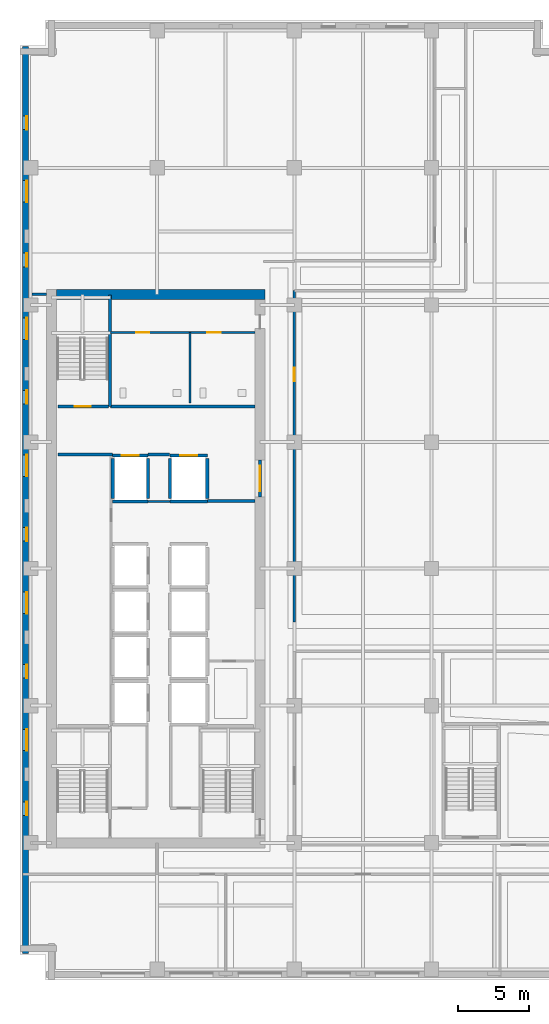
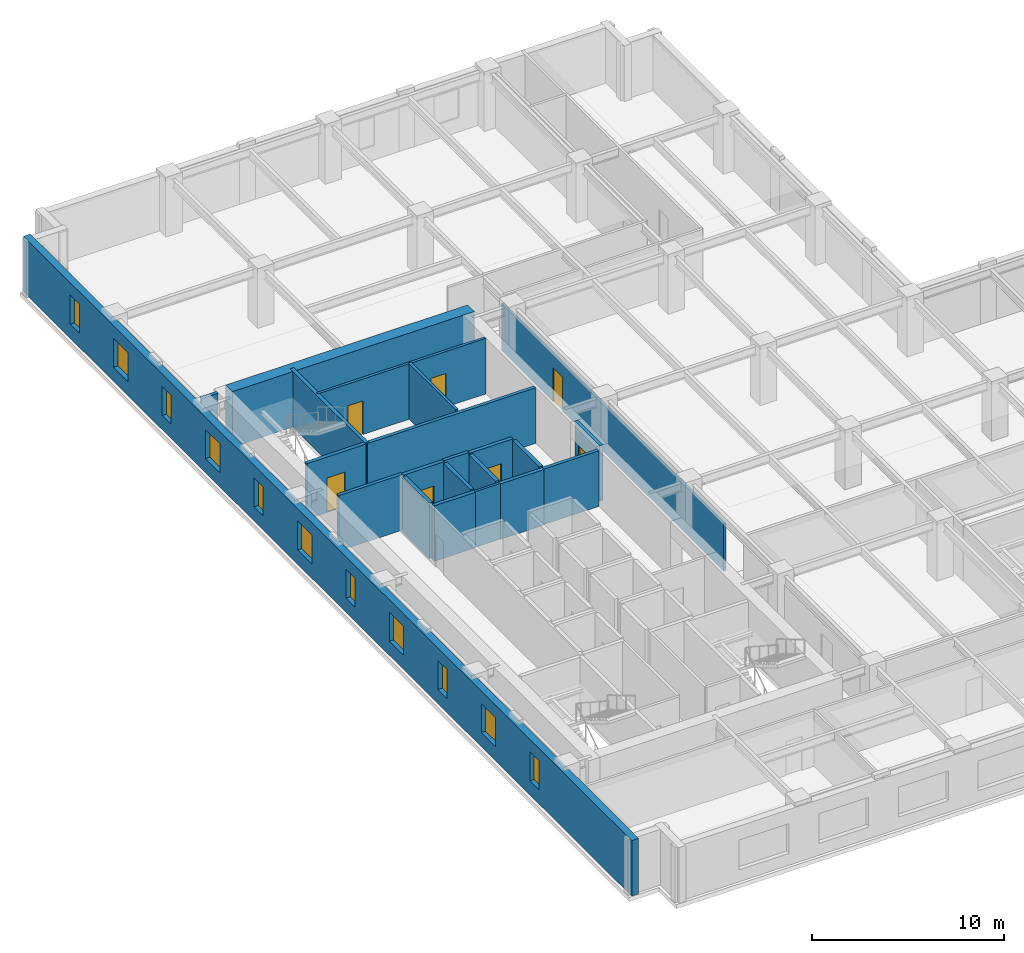
# One storey, part 6 of 12: 22 walls, 11 windows, 7 doors, 18 openings.
"""IFC4 building model written with IfcOpenShell, lengths in metres."""

import ifcopenshell
import ifcopenshell.guid

model = None  # the IFC model being written
_history = None  # IfcOwnerHistory: only IFC2X3 demands one
_inside = {}  # id of a spatial element -> (the spatial element, [elements in it])
_under = {}  # id of a project, library or spatial element -> (it, [spatial elements below it])
_declared = {}  # id of a project -> (the project, [libraries it declares])
_typed = {}  # id of a type object -> (the type object, [elements of that type])
_made_of = {}  # id of a material, layer set ... -> (it, [elements and type objects made of it])


def new_model(schema):
    """Start an empty IFC model of exactly this schema.

    Asked for "IFC4X3", IfcOpenShell would pick the latest addendum, in which some entities
    have other attributes; the version numbers below select the first issue.
    IFC2X3 requires an IfcOwnerHistory on every rooted entity: one is made here for all.
    """
    global model, _history
    if schema == "IFC4X3":
        model = ifcopenshell.file(schema_version=(4, 3, 0, 0))
    else:
        model = ifcopenshell.file(schema=schema)
    _inside.clear()
    _under.clear()
    _declared.clear()
    _typed.clear()
    _made_of.clear()
    _history = None
    if model.schema == "IFC2X3":
        org = make("IfcOrganization", Name="unknown")
        user = make(
            "IfcPersonAndOrganization",
            ThePerson=make("IfcPerson", FamilyName="unknown"),
            TheOrganization=org,
        )
        app = make(
            "IfcApplication",
            ApplicationDeveloper=org,
            Version="unknown",
            ApplicationFullName="unknown",
            ApplicationIdentifier="unknown",
        )
        _history = make(
            "IfcOwnerHistory",
            OwningUser=user,
            OwningApplication=app,
            ChangeAction="ADDED",
            CreationDate=0,
        )
    return model


def make(cls, **values):
    """One entity of the class cls with the attributes given. An attribute that is None is left unset."""
    return model.create_entity(
        cls, **{name: value for name, value in values.items() if value is not None}
    )


def rooted(cls, **values):
    """An entity with a GlobalId (a new one), such as an element, a storey or a relation."""
    return make(cls, GlobalId=ifcopenshell.guid.new(), OwnerHistory=_history, **values)


def si_unit(unit_type, name, prefix=None):
    """IfcSIUnit, for example si_unit("LENGTHUNIT", "METRE", prefix="MILLI")."""
    return make("IfcSIUnit", UnitType=unit_type, Prefix=prefix, Name=name)


def assignment(units):
    """IfcUnitAssignment: the units of a project."""
    return None if units is None else make("IfcUnitAssignment", Units=units)


def point(xyz):
    """IfcCartesianPoint."""
    return None if xyz is None else make("IfcCartesianPoint", Coordinates=xyz)


def direction(xyz):
    """IfcDirection."""
    return None if xyz is None else make("IfcDirection", DirectionRatios=xyz)


def frame(location, z_axis=None, x_axis=None):
    """IfcAxis2Placement3D, a coordinate frame: its origin and axes. An axis left out is left unset."""
    return make(
        "IfcAxis2Placement3D",
        Location=point(location),
        Axis=direction(z_axis),
        RefDirection=direction(x_axis),
    )


def frame_2d(location, x_axis=None):
    """IfcAxis2Placement2D, a coordinate frame in the plane: its origin and x axis."""
    return make(
        "IfcAxis2Placement2D", Location=point(location), RefDirection=direction(x_axis)
    )


def origin():
    """The frame at (0, 0, 0) with its axes left unset."""
    return frame((0.0, 0.0, 0.0))


def place(relative_to, where):
    """IfcLocalPlacement: puts the frame where relative to a parent placement (None: the world)."""
    return make(
        "IfcLocalPlacement", PlacementRelTo=relative_to, RelativePlacement=where
    )


def context(
    kind, dimensions, precision=None, world=None, true_north=None, identifier=None
):
    """IfcGeometricRepresentationContext, for example the 3D "Model" context."""
    return make(
        "IfcGeometricRepresentationContext",
        ContextIdentifier=identifier,
        ContextType=kind,
        CoordinateSpaceDimension=dimensions,
        Precision=precision,
        WorldCoordinateSystem=world,
        TrueNorth=true_north,
    )


def subcontext(parent, identifier, kind, view, scale=None):
    """IfcGeometricRepresentationSubContext, for example "Body" below "Model"."""
    return make(
        "IfcGeometricRepresentationSubContext",
        ContextIdentifier=identifier,
        ContextType=kind,
        ParentContext=parent,
        TargetScale=scale,
        TargetView=view,
    )


def project(units=None, contexts=None):
    """IfcProject with its units and contexts."""
    return rooted(
        "IfcProject",
        Name="project",
        RepresentationContexts=contexts,
        UnitsInContext=assignment(units),
    )


def spatial(cls, under=None, at=None, **own):
    """A site, building, storey or space (cls), placed at a placement, below another one or the project."""
    s = rooted(cls, ObjectPlacement=at, **own)
    if under is not None:
        _under.setdefault(under.id(), (under, []))[1].append(s)
    return s


def profile(cls, at=None, kind="AREA", **sizes):
    """A parametric profile (cls). Its sizes go by their IFC names, for example OverallWidth=200.0."""
    return make(cls, ProfileType=kind, Position=at, **sizes)


def rectangle(**sizes):
    """IfcRectangleProfileDef."""
    return profile("IfcRectangleProfileDef", **sizes)


def extrude(swept, where, along, depth):
    """IfcExtrudedAreaSolid: the profile swept, set in the frame where, extruded along a direction by depth."""
    return make(
        "IfcExtrudedAreaSolid",
        SweptArea=swept,
        Position=where,
        ExtrudedDirection=direction(along),
        Depth=depth,
    )


def shape(context_of_items, identifier, shape_type, items):
    """IfcShapeRepresentation: the items that make up one representation, for example the "Body"."""
    return make(
        "IfcShapeRepresentation",
        ContextOfItems=context_of_items,
        RepresentationIdentifier=identifier,
        RepresentationType=shape_type,
        Items=items,
    )


def material(Name=None, Category=None):
    """IfcMaterial."""
    return make("IfcMaterial", Name=Name, Category=Category)


def layer(
    of_material, thickness, ventilated=None, Name=None, Category=None, Priority=None
):
    """IfcMaterialLayer: one layer of a wall or slab, of a material (None: an air gap)."""
    return make(
        "IfcMaterialLayer",
        Material=of_material,
        LayerThickness=thickness,
        IsVentilated=ventilated,
        Name=Name,
        Category=Category,
        Priority=Priority,
    )


def layer_set(layers, Name=None):
    """IfcMaterialLayerSet."""
    return make("IfcMaterialLayerSet", MaterialLayers=layers, LayerSetName=Name)


def made_of(thing, what):
    """Note that an element or type object is made of a material, layer set ...; save() writes the relation."""
    if what is not None:
        _made_of.setdefault(what.id(), (what, []))[1].append(thing)
    return thing


def type_object(cls, material=None, **own):
    """A type object (cls), such as IfcWallType, which elements share."""
    return made_of(rooted(cls, **own), material)


def element(
    cls,
    number,
    at=None,
    inside=None,
    cuts=None,
    type_object=None,
    material=None,
    context=None,
    identifier="Body",
    shape_type=None,
    held_by="IfcProductDefinitionShape",
    body=None,
    shapes=None,
    **own,
):
    """One element of the class cls, such as IfcWall. Its Tag is "e" and its number.

    at: its placement. inside: the storey or other place that contains it. cuts: it is an
    opening in that element (IfcRelVoidsElement). A single representation is given by context,
    identifier, shape_type and body (its items); several are given by shapes. held_by: the class
    of the entity that holds the representations. save() writes the other relations.
    """
    e = rooted(cls, Tag="e%d" % number, ObjectPlacement=at, **own)
    if body is not None:
        shapes = [shape(context, identifier, shape_type, body)]
    if shapes is not None:
        e.Representation = make(held_by, Representations=shapes)
    if inside is not None:
        _inside.setdefault(inside.id(), (inside, []))[1].append(e)
    if cuts is not None:
        rooted(
            "IfcRelVoidsElement", RelatingBuildingElement=cuts, RelatedOpeningElement=e
        )
    if type_object is not None:
        _typed.setdefault(type_object.id(), (type_object, []))[1].append(e)
    return made_of(e, material)


def fill(opening, filler):
    """IfcRelFillsElement: the door or window that sits in an opening."""
    return rooted(
        "IfcRelFillsElement",
        RelatingOpeningElement=opening,
        RelatedBuildingElement=filler,
    )


def aggregate(whole, parts):
    """IfcRelAggregates: a whole, such as a stair, and the parts it consists of."""
    return rooted("IfcRelAggregates", RelatingObject=whole, RelatedObjects=parts)


def save(model, path):
    """Write the relations noted so far, then the file.

    IfcRelAggregates (storeys below a building ...), IfcRelContainedInSpatialStructure (elements
    in a storey), IfcRelDefinesByType, IfcRelAssociatesMaterial and IfcRelDeclares: one each for
    every whole, place, type object, material and project.
    """
    for whole, parts in _under.values():
        aggregate(whole, parts)
    for where, things in _inside.values():
        rooted(
            "IfcRelContainedInSpatialStructure",
            RelatedElements=things,
            RelatingStructure=where,
        )
    for kind, things in _typed.values():
        rooted("IfcRelDefinesByType", RelatedObjects=things, RelatingType=kind)
    for what, things in _made_of.values():
        rooted("IfcRelAssociatesMaterial", RelatedObjects=things, RelatingMaterial=what)
    for by, libraries in _declared.values():
        rooted("IfcRelDeclares", RelatingContext=by, RelatedDefinitions=libraries)
    model.write(path)


model = new_model("IFC4")

# Units and contexts
model_context = context("Model", 3, precision=1e-05, world=origin(), true_north=direction((0.0, 1.0)))
body_context = subcontext(model_context, "Body", "Model", "MODEL_VIEW")
ifc_project = project(units=[si_unit("LENGTHUNIT", "METRE"), si_unit("AREAUNIT", "SQUARE_METRE"), si_unit("VOLUMEUNIT", "CUBIC_METRE"), si_unit("PLANEANGLEUNIT", "RADIAN"), si_unit("MASSUNIT", "GRAM", prefix="KILO")], contexts=[model_context])

# Site, building, storey
site_placement = place(None, origin())
site = spatial("IfcSite", under=ifc_project, at=site_placement, CompositionType="ELEMENT")
building_placement = place(site_placement, origin())
building = spatial("IfcBuilding", under=site, at=building_placement, Name="Norrvale University Quadrangle", CompositionType="ELEMENT")
storey_placement = place(building_placement, frame((0.0, 0.0, 139.39990234375)))
storey = spatial("IfcBuildingStorey", under=building, at=storey_placement, Name="L35", CompositionType="ELEMENT", Elevation=139.39990234375)

# Wall, openings, windows
ifc_material_1 = material(Name="Buff Norman Clay Brick Masonry", Category="masonry")
ifc_layer_1 = layer(ifc_material_1, 0.419921875, Name="Buff Norman Clay Brick Masonry")
ifc_layer_set_1 = layer_set([ifc_layer_1], Name="Buff Norman Clay Brick Masonry")
wall_type_1 = type_object("IfcWallType", Name="Wall Buff Brick 420", PredefinedType="SOLIDWALL", material=ifc_layer_set_1)
wall_1_placement = place(storey_placement, frame((0.389892578125, 65.360107421875, 0.0), z_axis=(0.0, 0.0, 1.0), x_axis=(0.0, -1.0, 0.0)))
wall_1 = element("IfcWall", 1, at=wall_1_placement, inside=storey, type_object=wall_type_1, Name="Exterior Brick Facade Wall L35-14.1", PredefinedType="SOLIDWALL", context=body_context, shape_type="SweptSolid", body=[
    extrude(rectangle(XDim=63.52001953125, YDim=0.419921875, at=frame_2d((31.760009765625, 0.0))), origin(), (0.0, 0.0, 1.0), 3.5400390625),
])
opening_1_placement = place(wall_1_placement, frame((4.885009765625, 0.0, 0.89990234375)))
opening_1 = element("IfcOpeningElement", 2, at=opening_1_placement, cuts=wall_1, Name="Opening W04", PredefinedType="OPENING", context=body_context, shape_type="SweptSolid", body=[
    extrude(rectangle(XDim=0.949951171875, YDim=1.85009765625, at=frame_2d((0.47509765625, 0.925048828125))), frame((0.0, 0.221923828125, 0.0), z_axis=(0.0, -1.0, 0.0), x_axis=(1.0, 0.0, 0.0)), (0.0, 0.0, 1.0), 0.44384765625),
])
opening_2_placement = place(wall_1_placement, frame((9.409912109375, 0.0, 0.89990234375)))
opening_2 = element("IfcOpeningElement", 3, at=opening_2_placement, cuts=wall_1, Name="Opening W03", PredefinedType="OPENING", context=body_context, shape_type="SweptSolid", body=[
    extrude(rectangle(XDim=1.5, YDim=1.85009765625, at=frame_2d((0.75, 0.925048828125))), frame((0.0, 0.221923828125, 0.0), z_axis=(0.0, -1.0, 0.0), x_axis=(1.0, 0.0, 0.0)), (0.0, 0.0, 1.0), 0.44384765625),
])
opening_3_placement = place(wall_1_placement, frame((14.485107421875, 0.0, 0.89990234375)))
opening_3 = element("IfcOpeningElement", 4, at=opening_3_placement, cuts=wall_1, Name="Opening W04", PredefinedType="OPENING", context=body_context, shape_type="SweptSolid", body=[
    extrude(rectangle(XDim=0.949951171875, YDim=1.85009765625, at=frame_2d((0.47509765625, 0.925048828125))), frame((0.0, 0.221923828125, 0.0), z_axis=(0.0, -1.0, 0.0), x_axis=(1.0, 0.0, 0.0)), (0.0, 0.0, 1.0), 0.44384765625),
])
opening_4_placement = place(wall_1_placement, frame((19.010009765625, 0.0, 0.89990234375)))
opening_4 = element("IfcOpeningElement", 5, at=opening_4_placement, cuts=wall_1, Name="Opening W03", PredefinedType="OPENING", context=body_context, shape_type="SweptSolid", body=[
    extrude(rectangle(XDim=1.5, YDim=1.85009765625, at=frame_2d((0.75, 0.925048828125))), frame((0.0, 0.221923828125, 0.0), z_axis=(0.0, -1.0, 0.0), x_axis=(1.0, 0.0, 0.0)), (0.0, 0.0, 1.0), 0.44384765625),
])
opening_5_placement = place(wall_1_placement, frame((24.0849609375, 0.0, 0.89990234375)))
opening_5 = element("IfcOpeningElement", 6, at=opening_5_placement, cuts=wall_1, Name="Opening W04", PredefinedType="OPENING", context=body_context, shape_type="SweptSolid", body=[
    extrude(rectangle(XDim=0.949951171875, YDim=1.85009765625, at=frame_2d((0.47509765625, 0.925048828125))), frame((0.0, 0.221923828125, 0.0), z_axis=(0.0, -1.0, 0.0), x_axis=(1.0, 0.0, 0.0)), (0.0, 0.0, 1.0), 0.44384765625),
])
opening_6_placement = place(wall_1_placement, frame((28.610107421875, 0.0, 0.89990234375)))
opening_6 = element("IfcOpeningElement", 7, at=opening_6_placement, cuts=wall_1, Name="Opening W03", PredefinedType="OPENING", context=body_context, shape_type="SweptSolid", body=[
    extrude(rectangle(XDim=1.5, YDim=1.85009765625, at=frame_2d((0.75, 0.925048828125))), frame((0.0, 0.221923828125, 0.0), z_axis=(0.0, -1.0, 0.0), x_axis=(1.0, 0.0, 0.0)), (0.0, 0.0, 1.0), 0.44384765625),
])
opening_7_placement = place(wall_1_placement, frame((33.68505859375, 0.0, 0.89990234375)))
opening_7 = element("IfcOpeningElement", 8, at=opening_7_placement, cuts=wall_1, Name="Opening W04", PredefinedType="OPENING", context=body_context, shape_type="SweptSolid", body=[
    extrude(rectangle(XDim=0.949951171875, YDim=1.85009765625, at=frame_2d((0.47509765625, 0.925048828125))), frame((0.0, 0.221923828125, 0.0), z_axis=(0.0, -1.0, 0.0), x_axis=(1.0, 0.0, 0.0)), (0.0, 0.0, 1.0), 0.44384765625),
])
opening_8_placement = place(wall_1_placement, frame((38.2099609375, 0.0, 0.89990234375)))
opening_8 = element("IfcOpeningElement", 9, at=opening_8_placement, cuts=wall_1, Name="Opening W03", PredefinedType="OPENING", context=body_context, shape_type="SweptSolid", body=[
    extrude(rectangle(XDim=1.5, YDim=1.85009765625, at=frame_2d((0.75, 0.925048828125))), frame((0.0, 0.221923828125, 0.0), z_axis=(0.0, -1.0, 0.0), x_axis=(1.0, 0.0, 0.0)), (0.0, 0.0, 1.0), 0.44384765625),
])
opening_9_placement = place(wall_1_placement, frame((43.284912109375, 0.0, 0.89990234375)))
opening_9 = element("IfcOpeningElement", 10, at=opening_9_placement, cuts=wall_1, Name="Opening W04", PredefinedType="OPENING", context=body_context, shape_type="SweptSolid", body=[
    extrude(rectangle(XDim=0.949951171875, YDim=1.85009765625, at=frame_2d((0.47509765625, 0.925048828125))), frame((0.0, 0.221923828125, 0.0), z_axis=(0.0, -1.0, 0.0), x_axis=(1.0, 0.0, 0.0)), (0.0, 0.0, 1.0), 0.44384765625),
])
opening_10_placement = place(wall_1_placement, frame((47.81005859375, 0.0, 0.89990234375)))
opening_10 = element("IfcOpeningElement", 11, at=opening_10_placement, cuts=wall_1, Name="Opening W03", PredefinedType="OPENING", context=body_context, shape_type="SweptSolid", body=[
    extrude(rectangle(XDim=1.5, YDim=1.85009765625, at=frame_2d((0.75, 0.925048828125))), frame((0.0, 0.221923828125, 0.0), z_axis=(0.0, -1.0, 0.0), x_axis=(1.0, 0.0, 0.0)), (0.0, 0.0, 1.0), 0.44384765625),
])
opening_11_placement = place(wall_1_placement, frame((52.885009765625, 0.0, 0.89990234375)))
opening_11 = element("IfcOpeningElement", 12, at=opening_11_placement, cuts=wall_1, Name="Opening W04", PredefinedType="OPENING", context=body_context, shape_type="SweptSolid", body=[
    extrude(rectangle(XDim=0.949951171875, YDim=1.85009765625, at=frame_2d((0.47509765625, 0.925048828125))), frame((0.0, 0.221923828125, 0.0), z_axis=(0.0, -1.0, 0.0), x_axis=(1.0, 0.0, 0.0)), (0.0, 0.0, 1.0), 0.44384765625),
])
ifc_material_2 = material(Name="Triple Low-E Argon Glazing", Category="glass")
window_type_1 = type_object("IfcWindowType", Name="Window Narrow Pier 950x2300", PartitioningType="SINGLE_PANEL", PredefinedType="WINDOW", material=ifc_material_2)
window_1_placement = place(opening_1_placement, origin())
window_1 = element("IfcWindow", 13, at=window_1_placement, inside=storey, type_object=window_type_1, Name="Window Narrow Pier 950x2300 WIN-L35-E14-1-01", OverallHeight=1.85009765625, OverallWidth=0.949951171875, PartitioningType="SINGLE_PANEL", PredefinedType="WINDOW", context=body_context, shape_type="SweptSolid", body=[
    extrude(rectangle(XDim=0.949951171875, YDim=1.85009765625, at=frame_2d((0.47509765625, 0.925048828125))), frame((0.0, 0.110107421875, 0.0), z_axis=(0.0, -1.0, 0.0), x_axis=(1.0, 0.0, 0.0)), (0.0, 0.0, 1.0), 0.06005859375),
])
fill(opening_1, window_1)
window_2_placement = place(opening_3_placement, origin())
window_2 = element("IfcWindow", 14, at=window_2_placement, inside=storey, type_object=window_type_1, Name="Window Narrow Pier 950x2300 WIN-L35-E14-1-03", OverallHeight=1.85009765625, OverallWidth=0.949951171875, PartitioningType="SINGLE_PANEL", PredefinedType="WINDOW", context=body_context, shape_type="SweptSolid", body=[
    extrude(rectangle(XDim=0.949951171875, YDim=1.85009765625, at=frame_2d((0.47509765625, 0.925048828125))), frame((0.0, 0.110107421875, 0.0), z_axis=(0.0, -1.0, 0.0), x_axis=(1.0, 0.0, 0.0)), (0.0, 0.0, 1.0), 0.06005859375),
])
fill(opening_3, window_2)
window_3_placement = place(opening_5_placement, origin())
window_3 = element("IfcWindow", 15, at=window_3_placement, inside=storey, type_object=window_type_1, Name="Window Narrow Pier 950x2300 WIN-L35-E14-1-05", OverallHeight=1.85009765625, OverallWidth=0.949951171875, PartitioningType="SINGLE_PANEL", PredefinedType="WINDOW", context=body_context, shape_type="SweptSolid", body=[
    extrude(rectangle(XDim=0.949951171875, YDim=1.85009765625, at=frame_2d((0.47509765625, 0.925048828125))), frame((0.0, 0.110107421875, 0.0), z_axis=(0.0, -1.0, 0.0), x_axis=(1.0, 0.0, 0.0)), (0.0, 0.0, 1.0), 0.06005859375),
])
fill(opening_5, window_3)
window_4_placement = place(opening_7_placement, origin())
window_4 = element("IfcWindow", 16, at=window_4_placement, inside=storey, type_object=window_type_1, Name="Window Narrow Pier 950x2300 WIN-L35-E14-1-07", OverallHeight=1.85009765625, OverallWidth=0.949951171875, PartitioningType="SINGLE_PANEL", PredefinedType="WINDOW", context=body_context, shape_type="SweptSolid", body=[
    extrude(rectangle(XDim=0.949951171875, YDim=1.85009765625, at=frame_2d((0.47509765625, 0.925048828125))), frame((0.0, 0.110107421875, 0.0), z_axis=(0.0, -1.0, 0.0), x_axis=(1.0, 0.0, 0.0)), (0.0, 0.0, 1.0), 0.06005859375),
])
fill(opening_7, window_4)
window_5_placement = place(opening_9_placement, origin())
window_5 = element("IfcWindow", 17, at=window_5_placement, inside=storey, type_object=window_type_1, Name="Window Narrow Pier 950x2300 WIN-L35-E14-1-09", OverallHeight=1.85009765625, OverallWidth=0.949951171875, PartitioningType="SINGLE_PANEL", PredefinedType="WINDOW", context=body_context, shape_type="SweptSolid", body=[
    extrude(rectangle(XDim=0.949951171875, YDim=1.85009765625, at=frame_2d((0.47509765625, 0.925048828125))), frame((0.0, 0.110107421875, 0.0), z_axis=(0.0, -1.0, 0.0), x_axis=(1.0, 0.0, 0.0)), (0.0, 0.0, 1.0), 0.06005859375),
])
fill(opening_9, window_5)
window_6_placement = place(opening_11_placement, origin())
window_6 = element("IfcWindow", 18, at=window_6_placement, inside=storey, type_object=window_type_1, Name="Window Narrow Pier 950x2300 WIN-L35-E14-1-11", OverallHeight=1.85009765625, OverallWidth=0.949951171875, PartitioningType="SINGLE_PANEL", PredefinedType="WINDOW", context=body_context, shape_type="SweptSolid", body=[
    extrude(rectangle(XDim=0.949951171875, YDim=1.85009765625, at=frame_2d((0.47509765625, 0.925048828125))), frame((0.0, 0.110107421875, 0.0), z_axis=(0.0, -1.0, 0.0), x_axis=(1.0, 0.0, 0.0)), (0.0, 0.0, 1.0), 0.06005859375),
])
fill(opening_11, window_6)
window_type_2 = type_object("IfcWindowType", Name="Window Studio 1500x2300", PartitioningType="DOUBLE_PANEL_VERTICAL", PredefinedType="WINDOW", material=ifc_material_2)
window_7_placement = place(opening_2_placement, origin())
window_7 = element("IfcWindow", 19, at=window_7_placement, inside=storey, type_object=window_type_2, Name="Window Studio 1500x2300 WIN-L35-E14-1-02", OverallHeight=1.85009765625, OverallWidth=1.5, PartitioningType="DOUBLE_PANEL_VERTICAL", PredefinedType="WINDOW", context=body_context, shape_type="SweptSolid", body=[
    extrude(rectangle(XDim=1.5, YDim=1.85009765625, at=frame_2d((0.75, 0.925048828125))), frame((0.0, 0.110107421875, 0.0), z_axis=(0.0, -1.0, 0.0), x_axis=(1.0, 0.0, 0.0)), (0.0, 0.0, 1.0), 0.06005859375),
])
fill(opening_2, window_7)
window_8_placement = place(opening_4_placement, origin())
window_8 = element("IfcWindow", 20, at=window_8_placement, inside=storey, type_object=window_type_2, Name="Window Studio 1500x2300 WIN-L35-E14-1-04", OverallHeight=1.85009765625, OverallWidth=1.5, PartitioningType="DOUBLE_PANEL_VERTICAL", PredefinedType="WINDOW", context=body_context, shape_type="SweptSolid", body=[
    extrude(rectangle(XDim=1.5, YDim=1.85009765625, at=frame_2d((0.75, 0.925048828125))), frame((0.0, 0.110107421875, 0.0), z_axis=(0.0, -1.0, 0.0), x_axis=(1.0, 0.0, 0.0)), (0.0, 0.0, 1.0), 0.06005859375),
])
fill(opening_4, window_8)
window_9_placement = place(opening_6_placement, origin())
window_9 = element("IfcWindow", 21, at=window_9_placement, inside=storey, type_object=window_type_2, Name="Window Studio 1500x2300 WIN-L35-E14-1-06", OverallHeight=1.85009765625, OverallWidth=1.5, PartitioningType="DOUBLE_PANEL_VERTICAL", PredefinedType="WINDOW", context=body_context, shape_type="SweptSolid", body=[
    extrude(rectangle(XDim=1.5, YDim=1.85009765625, at=frame_2d((0.75, 0.925048828125))), frame((0.0, 0.110107421875, 0.0), z_axis=(0.0, -1.0, 0.0), x_axis=(1.0, 0.0, 0.0)), (0.0, 0.0, 1.0), 0.06005859375),
])
fill(opening_6, window_9)
window_10_placement = place(opening_8_placement, origin())
window_10 = element("IfcWindow", 22, at=window_10_placement, inside=storey, type_object=window_type_2, Name="Window Studio 1500x2300 WIN-L35-E14-1-08", OverallHeight=1.85009765625, OverallWidth=1.5, PartitioningType="DOUBLE_PANEL_VERTICAL", PredefinedType="WINDOW", context=body_context, shape_type="SweptSolid", body=[
    extrude(rectangle(XDim=1.5, YDim=1.85009765625, at=frame_2d((0.75, 0.925048828125))), frame((0.0, 0.110107421875, 0.0), z_axis=(0.0, -1.0, 0.0), x_axis=(1.0, 0.0, 0.0)), (0.0, 0.0, 1.0), 0.06005859375),
])
fill(opening_8, window_10)
window_11_placement = place(opening_10_placement, origin())
window_11 = element("IfcWindow", 23, at=window_11_placement, inside=storey, type_object=window_type_2, Name="Window Studio 1500x2300 WIN-L35-E14-1-10", OverallHeight=1.85009765625, OverallWidth=1.5, PartitioningType="DOUBLE_PANEL_VERTICAL", PredefinedType="WINDOW", context=body_context, shape_type="SweptSolid", body=[
    extrude(rectangle(XDim=1.5, YDim=1.85009765625, at=frame_2d((0.75, 0.925048828125))), frame((0.0, 0.110107421875, 0.0), z_axis=(0.0, -1.0, 0.0), x_axis=(1.0, 0.0, 0.0)), (0.0, 0.0, 1.0), 0.06005859375),
])
fill(opening_10, window_11)

# Walls
ifc_material_3 = material(Name="Concrete C60/75", Category="concrete")
ifc_layer_2 = layer(ifc_material_3, 0.699951171875, Name="Concrete C60/75")
ifc_layer_set_2 = layer_set([ifc_layer_2], Name="Concrete C60/75")
wall_type_2 = type_object("IfcWallType", Name="Wall Core 700", PredefinedType="SHEAR", material=ifc_layer_set_2)
wall_2_placement = place(storey_placement, frame((2.550048828125, 48.0, 0.0), z_axis=(0.0, 0.0, 1.0), x_axis=(1.0, 0.0, 0.0)))
element("IfcWall", 24, at=wall_2_placement, inside=storey, type_object=wall_type_2, Name="Tower Core Shear Wall L35-N", PredefinedType="SHEAR", context=body_context, shape_type="SweptSolid", body=[
    extrude(rectangle(XDim=14.599853515625, YDim=0.699951171875, at=frame_2d((7.2998046875, 0.0))), origin(), (0.0, 0.0, 1.0), 3.5400390625),
])
ifc_material_4 = material(Name="Fire-Rated Gypsum Stud Partition")
ifc_layer_3 = layer(ifc_material_4, 0.14990234375, Name="Fire-Rated Gypsum Stud Partition")
ifc_layer_set_3 = layer_set([ifc_layer_3], Name="Fire-Rated Gypsum Stud Partition")
wall_type_3 = type_object("IfcWallType", Name="Wall Gypsum Corridor 150", PredefinedType="PARTITIONING", material=ifc_layer_set_3)
wall_3_placement = place(storey_placement, frame((8.965087890625, 33.489990234375, 0.0), z_axis=(0.0, 0.0, 1.0), x_axis=(1.0, 0.0, 0.0)))
element("IfcWall", 25, at=wall_3_placement, inside=storey, type_object=wall_type_3, Name="Interior Partition WL-L35-LL3", PredefinedType="PARTITIONING", context=body_context, shape_type="SweptSolid", body=[
    extrude(rectangle(XDim=1.52001953125, YDim=0.14990234375, at=frame_2d((0.760009765625, 0.0))), origin(), (0.0, 0.0, 1.0), 3.5400390625),
])

# Wall, opening, door
wall_4_placement = place(storey_placement, frame((19.199951171875, 25.050048828125, 0.0), z_axis=(0.0, 0.0, 1.0), x_axis=(0.0, 1.0, 0.0)))
wall_4 = element("IfcWall", 26, at=wall_4_placement, inside=storey, type_object=wall_type_3, Name="Interior Partition WL-L35-MNECW", PredefinedType="PARTITIONING", context=body_context, shape_type="SweptSolid", body=[
    extrude(rectangle(XDim=23.199951171875, YDim=0.14990234375, at=frame_2d((11.60009765625, 0.0))), origin(), (0.0, 0.0, 1.0), 2.99609375),
])
opening_12_placement = place(wall_4_placement, frame((16.85009765625, 0.0, 0.0)))
opening_12 = element("IfcOpeningElement", 27, at=opening_12_placement, cuts=wall_4, Name="Opening D07", PredefinedType="OPENING", context=body_context, shape_type="SweptSolid", body=[
    extrude(rectangle(XDim=0.949951171875, YDim=2.14990234375, at=frame_2d((0.47509765625, 1.074951171875))), frame((0.0, 0.0869140625, 0.0), z_axis=(0.0, -1.0, 0.0), x_axis=(1.0, 0.0, 0.0)), (0.0, 0.0, 1.0), 0.173828125),
])
ifc_material_5 = material(Name="Solid-Core Maple Door", Category="wood")
door_type_1 = type_object("IfcDoorType", Name="Door Office 950x2150", OperationType="NOTDEFINED", PredefinedType="DOOR", material=ifc_material_5)
door_1_placement = place(opening_12_placement, origin())
door_1 = element("IfcDoor", 28, at=door_1_placement, inside=storey, type_object=door_type_1, Name="Door Office 950x2150 DR-L35-MNE01", OperationType="SINGLE_SWING_RIGHT", OverallHeight=2.14990234375, OverallWidth=0.949951171875, PredefinedType="DOOR", context=body_context, shape_type="SweptSolid", body=[
    extrude(rectangle(XDim=0.949951171875, YDim=2.14990234375, at=frame_2d((0.47509765625, 1.074951171875))), frame((0.0, 0.02490234375, 0.0), z_axis=(0.0, -1.0, 0.0), x_axis=(1.0, 0.0, 0.0)), (0.0, 0.0, 1.0), 0.050048828125),
])
fill(opening_12, door_1)

# Wall, openings, doors
ifc_material_6 = material(Name="Sanitary Chase Gypsum Partition")
ifc_layer_4 = layer(ifc_material_6, 0.1650390625, Name="Sanitary Chase Gypsum Partition")
ifc_layer_set_4 = layer_set([ifc_layer_4], Name="Sanitary Chase Gypsum Partition")
wall_type_4 = type_object("IfcWallType", Name="Wall Gypsum Sanitary 165", PredefinedType="PLUMBINGWALL", material=ifc_layer_set_4)
wall_5_placement = place(storey_placement, frame((6.320068359375, 45.320068359375, 0.0), z_axis=(0.0, 0.0, 1.0), x_axis=(1.0, 0.0, 0.0)))
wall_5 = element("IfcWall", 29, at=wall_5_placement, inside=storey, type_object=wall_type_4, Name="Interior Partition WL-L35-WCN", PredefinedType="PLUMBINGWALL", context=body_context, shape_type="SweptSolid", body=[
    extrude(rectangle(XDim=10.1298828125, YDim=0.1650390625, at=frame_2d((5.06494140625, 0.0))), origin(), (0.0, 0.0, 1.0), 3.5400390625),
])
opening_13_placement = place(wall_5_placement, frame((1.800048828125, 0.0, 0.0)))
opening_13 = element("IfcOpeningElement", 30, at=opening_13_placement, cuts=wall_5, Name="Opening D08", PredefinedType="OPENING", context=body_context, shape_type="SweptSolid", body=[
    extrude(rectangle(XDim=0.919921875, YDim=2.14990234375, at=frame_2d((0.4599609375, 1.074951171875))), frame((0.0, 0.094482421875, 0.0), z_axis=(0.0, -1.0, 0.0), x_axis=(1.0, 0.0, 0.0)), (0.0, 0.0, 1.0), 0.18896484375),
])
opening_14_placement = place(wall_5_placement, frame((6.800048828125, 0.0, 0.0)))
opening_14 = element("IfcOpeningElement", 31, at=opening_14_placement, cuts=wall_5, Name="Opening D08", PredefinedType="OPENING", context=body_context, shape_type="SweptSolid", body=[
    extrude(rectangle(XDim=0.919921875, YDim=2.14990234375, at=frame_2d((0.4599609375, 1.074951171875))), frame((0.0, 0.094482421875, 0.0), z_axis=(0.0, -1.0, 0.0), x_axis=(1.0, 0.0, 0.0)), (0.0, 0.0, 1.0), 0.18896484375),
])
ifc_material_7 = material(Name="Laminate Washroom Door", Category="wood")
door_type_2 = type_object("IfcDoorType", Name="Door Washroom 920x2150", OperationType="NOTDEFINED", PredefinedType="DOOR", material=ifc_material_7)
door_2_placement = place(opening_13_placement, origin())
door_2 = element("IfcDoor", 32, at=door_2_placement, inside=storey, type_object=door_type_2, Name="Door Washroom 920x2150 DR-L35-WC1", OperationType="SINGLE_SWING_LEFT", OverallHeight=2.14990234375, OverallWidth=0.919921875, PredefinedType="DOOR", context=body_context, shape_type="SweptSolid", body=[
    extrude(rectangle(XDim=0.919921875, YDim=2.14990234375, at=frame_2d((0.4599609375, 1.074951171875))), frame((0.0, 0.02490234375, 0.0), z_axis=(0.0, -1.0, 0.0), x_axis=(1.0, 0.0, 0.0)), (0.0, 0.0, 1.0), 0.050048828125),
])
fill(opening_13, door_2)
door_3_placement = place(opening_14_placement, origin())
door_3 = element("IfcDoor", 33, at=door_3_placement, inside=storey, type_object=door_type_2, Name="Door Washroom 920x2150 DR-L35-WC2", OperationType="SINGLE_SWING_RIGHT", OverallHeight=2.14990234375, OverallWidth=0.919921875, PredefinedType="DOOR", context=body_context, shape_type="SweptSolid", body=[
    extrude(rectangle(XDim=0.919921875, YDim=2.14990234375, at=frame_2d((0.4599609375, 1.074951171875))), frame((0.0, 0.02490234375, 0.0), z_axis=(0.0, -1.0, 0.0), x_axis=(1.0, 0.0, 0.0)), (0.0, 0.0, 1.0), 0.050048828125),
])
fill(opening_14, door_3)

# Walls
wall_6_placement = place(storey_placement, frame((11.89990234375, 40.39990234375, 0.0), z_axis=(0.0, 0.0, 1.0), x_axis=(0.0, 1.0, 0.0)))
element("IfcWall", 34, at=wall_6_placement, inside=storey, type_object=wall_type_4, Name="Interior Partition WL-L35-WCM1", PredefinedType="PLUMBINGWALL", context=body_context, shape_type="SweptSolid", body=[
    extrude(rectangle(XDim=4.920166015625, YDim=0.1650390625, at=frame_2d((2.4599609375, 0.0))), origin(), (0.0, 0.0, 1.0), 3.5400390625),
])
ifc_material_8 = material(Name="Concrete Blockwork 20 MPa Rated Wall", Category="masonry")
ifc_layer_5 = layer(ifc_material_8, 0.199951171875, Name="Concrete Blockwork 20 MPa Rated Wall")
ifc_layer_set_5 = layer_set([ifc_layer_5], Name="Concrete Blockwork 20 MPa Rated Wall")
wall_type_5 = type_object("IfcWallType", Name="Wall Lobby 200", PredefinedType="SOLIDWALL", material=ifc_layer_set_5)
wall_7_placement = place(storey_placement, frame((2.64990234375, 36.780029296875, 0.0), z_axis=(0.0, 0.0, 1.0), x_axis=(1.0, 0.0, 0.0)))
element("IfcWall", 35, at=wall_7_placement, inside=storey, type_object=wall_type_5, Name="Interior Partition WL-L35-FF1", PredefinedType="SOLIDWALL", context=body_context, shape_type="SweptSolid", body=[
    extrude(rectangle(XDim=3.830078125, YDim=0.199951171875, at=frame_2d((1.9150390625, 0.0))), origin(), (0.0, 0.0, 1.0), 3.5400390625),
])
wall_8_placement = place(storey_placement, frame((8.969970703125, 36.780029296875, 0.0), z_axis=(0.0, 0.0, 1.0), x_axis=(1.0, 0.0, 0.0)))
element("IfcWall", 36, at=wall_8_placement, inside=storey, type_object=wall_type_5, Name="Interior Partition WL-L35-FF2", PredefinedType="SOLIDWALL", context=body_context, shape_type="SweptSolid", body=[
    extrude(rectangle(XDim=1.510009765625, YDim=0.199951171875, at=frame_2d((0.7548828125, 0.0))), origin(), (0.0, 0.0, 1.0), 3.5400390625),
])
wall_9_placement = place(storey_placement, frame((13.1201171875, 33.52001953125, 0.0), z_axis=(0.0, 0.0, 1.0), x_axis=(1.0, 0.0, 0.0)))
element("IfcWall", 37, at=wall_9_placement, inside=storey, type_object=wall_type_5, Name="Interior Partition WL-L35-FF3", PredefinedType="SOLIDWALL", context=body_context, shape_type="SweptSolid", body=[
    extrude(rectangle(XDim=3.329833984375, YDim=0.199951171875, at=frame_2d((1.6650390625, 0.0))), origin(), (0.0, 0.0, 1.0), 3.5400390625),
])
wall_10_placement = place(storey_placement, frame((6.320068359375, 40.139892578125, 0.0), z_axis=(0.0, 0.0, 1.0), x_axis=(1.0, 0.0, 0.0)))
element("IfcWall", 38, at=wall_10_placement, inside=storey, type_object=wall_type_5, Name="Interior Partition WL-L35-FF4", PredefinedType="SOLIDWALL", context=body_context, shape_type="SweptSolid", body=[
    extrude(rectangle(XDim=10.1298828125, YDim=0.199951171875, at=frame_2d((5.06494140625, 0.0))), origin(), (0.0, 0.0, 1.0), 3.5400390625),
])

# Wall, opening, door
wall_11_placement = place(storey_placement, frame((16.800048828125, 33.800048828125, 0.0), z_axis=(0.0, 0.0, 1.0), x_axis=(0.0, 1.0, 0.0)))
wall_11 = element("IfcWall", 39, at=wall_11_placement, inside=storey, type_object=wall_type_5, Name="Interior Partition WL-L35-FFP", PredefinedType="SOLIDWALL", context=body_context, shape_type="SweptSolid", body=[
    extrude(rectangle(XDim=2.599853515625, YDim=0.199951171875, at=frame_2d((1.2998046875, 0.0))), origin(), (0.0, 0.0, 1.0), 3.5400390625),
])
opening_15_placement = place(wall_11_placement, frame((0.39990234375, 0.0, 0.0)))
opening_15 = element("IfcOpeningElement", 40, at=opening_15_placement, cuts=wall_11, Name="Opening D03", PredefinedType="OPENING", context=body_context, shape_type="SweptSolid", body=[
    extrude(rectangle(XDim=1.800048828125, YDim=2.199951171875, at=frame_2d((0.89990234375, 1.10009765625))), frame((0.0, 0.112060546875, 0.0), z_axis=(0.0, -1.0, 0.0), x_axis=(1.0, 0.0, 0.0)), (0.0, 0.0, 1.0), 0.223876953125),
])
ifc_material_9 = material(Name="Hollow Steel 350W Fire Door", Category="steel")
door_type_3 = type_object("IfcDoorType", Name="Door Fire Lobby 1800x2200", OperationType="DOUBLE_DOOR_SINGLE_SWING", PredefinedType="DOOR", material=ifc_material_9)
door_4_placement = place(opening_15_placement, origin())
door_4 = element("IfcDoor", 41, at=door_4_placement, inside=storey, type_object=door_type_3, Name="Door Fire Lobby 1800x2200 DR-L35-FFP", OperationType="DOUBLE_DOOR_SINGLE_SWING", OverallHeight=2.199951171875, OverallWidth=1.800048828125, PredefinedType="DOOR", context=body_context, shape_type="SweptSolid", body=[
    extrude(rectangle(XDim=1.800048828125, YDim=2.199951171875, at=frame_2d((0.89990234375, 1.10009765625))), frame((0.0, 0.02490234375, 0.0), z_axis=(0.0, -1.0, 0.0), x_axis=(1.0, 0.0, 0.0)), (0.0, 0.0, 1.0), 0.050048828125),
])
fill(opening_15, door_4)

# Wall
wall_12_placement = place(storey_placement, frame((0.85009765625, 48.0, 0.0), z_axis=(0.0, 0.0, 1.0), x_axis=(1.0, 0.0, 0.0)))
element("IfcWall", 42, at=wall_12_placement, inside=storey, type_object=wall_type_5, Name="Interior Partition WL-L35-CWRET-N", PredefinedType="SOLIDWALL", context=body_context, shape_type="SweptSolid", body=[
    extrude(rectangle(XDim=0.994873046875, YDim=0.199951171875, at=frame_2d((0.49755859375, 0.0))), origin(), (0.0, 0.0, 1.0), 3.5400390625),
])

# Wall, opening, door
ifc_material_10 = material(Name="Concrete Blockwork 20 MPa Fire Shaft", Category="masonry")
ifc_layer_6 = layer(ifc_material_10, 0.219970703125, Name="Concrete Blockwork 20 MPa Fire Shaft")
ifc_layer_set_6 = layer_set([ifc_layer_6], Name="Concrete Blockwork 20 MPa Fire Shaft")
wall_type_6 = type_object("IfcWallType", Name="Wall Shaft 220", PredefinedType="SOLIDWALL", material=ifc_layer_set_6)
wall_13_placement = place(storey_placement, frame((2.64990234375, 40.139892578125, 0.0), z_axis=(0.0, 0.0, 1.0), x_axis=(1.0, 0.0, 0.0)))
wall_13 = element("IfcWall", 43, at=wall_13_placement, inside=storey, type_object=wall_type_6, Name="Stair ST-02 South Shaft Wall L35", PredefinedType="SOLIDWALL", context=body_context, shape_type="SweptSolid", body=[
    extrude(rectangle(XDim=3.550048828125, YDim=0.219970703125, at=frame_2d((1.77490234375, 0.0))), origin(), (0.0, 0.0, 1.0), 3.5400390625),
])
opening_16_placement = place(wall_13_placement, frame((1.199951171875, 0.0, 0.0)))
opening_16 = element("IfcOpeningElement", 44, at=opening_16_placement, cuts=wall_13, Name="Opening D02", PredefinedType="OPENING", context=body_context, shape_type="SweptSolid", body=[
    extrude(rectangle(XDim=1.10009765625, YDim=2.199951171875, at=frame_2d((0.550048828125, 1.10009765625))), frame((0.0, 0.1220703125, 0.0), z_axis=(0.0, -1.0, 0.0), x_axis=(1.0, 0.0, 0.0)), (0.0, 0.0, 1.0), 0.243896484375),
])
door_type_4 = type_object("IfcDoorType", Name="Door Stair Exit 1100x2200", OperationType="NOTDEFINED", PredefinedType="DOOR", material=ifc_material_9)
door_5_placement = place(opening_16_placement, origin())
door_5 = element("IfcDoor", 45, at=door_5_placement, inside=storey, type_object=door_type_4, Name="Door Stair Exit 1100x2200 DR-L35-ST02", OperationType="SINGLE_SWING_LEFT", OverallHeight=2.199951171875, OverallWidth=1.10009765625, PredefinedType="DOOR", context=body_context, shape_type="SweptSolid", body=[
    extrude(rectangle(XDim=1.10009765625, YDim=2.199951171875, at=frame_2d((0.550048828125, 1.10009765625))), frame((0.0, 0.02490234375, 0.0), z_axis=(0.0, -1.0, 0.0), x_axis=(1.0, 0.0, 0.0)), (0.0, 0.0, 1.0), 0.050048828125),
])
fill(opening_16, door_5)

# Walls
wall_14_placement = place(storey_placement, frame((6.31005859375, 40.139892578125, 0.0), z_axis=(0.0, 0.0, 1.0), x_axis=(0.0, 1.0, 0.0)))
element("IfcWall", 46, at=wall_14_placement, inside=storey, type_object=wall_type_6, Name="Stair ST-02 East Shaft Wall L35", PredefinedType="SOLIDWALL", context=body_context, shape_type="SweptSolid", body=[
    extrude(rectangle(XDim=7.81005859375, YDim=0.219970703125, at=frame_2d((3.905029296875, 0.0))), origin(), (0.0, 0.0, 1.0), 3.5400390625),
])
for number, where, z_axis, x_axis, name in (
    (47, (6.489990234375, 33.7099609375, 0.0), (0.0, 0.0, 1.0), (0.0, 1.0, 0.0), "Hoistway FFL-01 West Wall L35"),
    (48, (8.9599609375, 33.7099609375, 0.0), (0.0, 0.0, 1.0), (0.0, 1.0, 0.0), "Hoistway FFL-01 East Wall L35"),
):
    element("IfcWall", number, at=place(storey_placement, frame(where, z_axis=z_axis, x_axis=x_axis)), inside=storey, type_object=wall_type_6, Name=name, PredefinedType="SOLIDWALL", context=body_context, shape_type="SweptSolid", body=[
        extrude(rectangle(XDim=2.780029296875, YDim=0.219970703125, at=frame_2d((1.39013671875, 0.0))), origin(), (0.0, 0.0, 1.0), 3.5400390625),
    ])
wall_15_placement = place(storey_placement, frame((6.489990234375, 33.489990234375, 0.0), z_axis=(0.0, 0.0, 1.0), x_axis=(1.0, 0.0, 0.0)))
element("IfcWall", 49, at=wall_15_placement, inside=storey, type_object=wall_type_6, Name="Hoistway FFL-01 South Wall L35", PredefinedType="SOLIDWALL", context=body_context, shape_type="SweptSolid", body=[
    extrude(rectangle(XDim=2.469970703125, YDim=0.219970703125, at=frame_2d((1.23486328125, 0.0))), origin(), (0.0, 0.0, 1.0), 3.5400390625),
])

# Wall, opening, door
wall_16_placement = place(storey_placement, frame((6.489990234375, 36.7099609375, 0.0), z_axis=(0.0, 0.0, 1.0), x_axis=(1.0, 0.0, 0.0)))
wall_16 = element("IfcWall", 50, at=wall_16_placement, inside=storey, type_object=wall_type_6, Name="Hoistway FFL-01 North Wall L35", PredefinedType="SOLIDWALL", context=body_context, shape_type="SweptSolid", body=[
    extrude(rectangle(XDim=2.469970703125, YDim=0.219970703125, at=frame_2d((1.23486328125, 0.0))), origin(), (0.0, 0.0, 1.0), 3.5400390625),
])
opening_17_placement = place(wall_16_placement, frame((0.635009765625, 0.0, 0.0)))
opening_17 = element("IfcOpeningElement", 51, at=opening_17_placement, cuts=wall_16, Name="Opening LD2", PredefinedType="OPENING", context=body_context, shape_type="SweptSolid", body=[
    extrude(rectangle(XDim=1.199951171875, YDim=2.199951171875, at=frame_2d((0.60009765625, 1.10009765625))), frame((0.0, 0.1220703125, 0.0), z_axis=(0.0, -1.0, 0.0), x_axis=(1.0, 0.0, 0.0)), (0.0, 0.0, 1.0), 0.243896484375),
])
ifc_material_11 = material(Name="Stainless Steel 316L Firefighter Lift Door", Category="steel")
door_type_5 = type_object("IfcDoorType", Name="Door Fire Lift 1200x2200", OperationType="DOUBLE_DOOR_SLIDING", PredefinedType="DOOR", material=ifc_material_11)
door_6_placement = place(opening_17_placement, origin())
door_6 = element("IfcDoor", 52, at=door_6_placement, inside=storey, type_object=door_type_5, Name="Elevator Landing Door DR-L35-FFL-01", OperationType="DOUBLE_DOOR_SLIDING", OverallHeight=2.199951171875, OverallWidth=1.199951171875, PredefinedType="DOOR", context=body_context, shape_type="SweptSolid", body=[
    extrude(rectangle(XDim=1.199951171875, YDim=2.199951171875, at=frame_2d((0.60009765625, 1.10009765625))), frame((0.0, 0.02490234375, 0.0), z_axis=(0.0, -1.0, 0.0), x_axis=(1.0, 0.0, 0.0)), (0.0, 0.0, 1.0), 0.050048828125),
])
fill(opening_17, door_6)

# Walls
for number, where, z_axis, x_axis, name in (
    (53, (10.489990234375, 33.7099609375, 0.0), (0.0, 0.0, 1.0), (0.0, 1.0, 0.0), "Hoistway FFL-02 West Wall L35"),
    (54, (13.110107421875, 33.7099609375, 0.0), (0.0, 0.0, 1.0), (0.0, 1.0, 0.0), "Hoistway FFL-02 East Wall L35"),
):
    element("IfcWall", number, at=place(storey_placement, frame(where, z_axis=z_axis, x_axis=x_axis)), inside=storey, type_object=wall_type_6, Name=name, PredefinedType="SOLIDWALL", context=body_context, shape_type="SweptSolid", body=[
        extrude(rectangle(XDim=2.780029296875, YDim=0.219970703125, at=frame_2d((1.39013671875, 0.0))), origin(), (0.0, 0.0, 1.0), 3.5400390625),
    ])
wall_17_placement = place(storey_placement, frame((10.489990234375, 33.489990234375, 0.0), z_axis=(0.0, 0.0, 1.0), x_axis=(1.0, 0.0, 0.0)))
element("IfcWall", 55, at=wall_17_placement, inside=storey, type_object=wall_type_6, Name="Hoistway FFL-02 South Wall L35", PredefinedType="SOLIDWALL", context=body_context, shape_type="SweptSolid", body=[
    extrude(rectangle(XDim=2.6201171875, YDim=0.219970703125, at=frame_2d((1.31005859375, 0.0))), origin(), (0.0, 0.0, 1.0), 3.5400390625),
])

# Wall, opening, door
wall_18_placement = place(storey_placement, frame((10.489990234375, 36.7099609375, 0.0), z_axis=(0.0, 0.0, 1.0), x_axis=(1.0, 0.0, 0.0)))
wall_18 = element("IfcWall", 56, at=wall_18_placement, inside=storey, type_object=wall_type_6, Name="Hoistway FFL-02 North Wall L35", PredefinedType="SOLIDWALL", context=body_context, shape_type="SweptSolid", body=[
    extrude(rectangle(XDim=2.6201171875, YDim=0.219970703125, at=frame_2d((1.31005859375, 0.0))), origin(), (0.0, 0.0, 1.0), 3.5400390625),
])
opening_18_placement = place(wall_18_placement, frame((0.7099609375, 0.0, 0.0)))
opening_18 = element("IfcOpeningElement", 57, at=opening_18_placement, cuts=wall_18, Name="Opening LD2", PredefinedType="OPENING", context=body_context, shape_type="SweptSolid", body=[
    extrude(rectangle(XDim=1.199951171875, YDim=2.199951171875, at=frame_2d((0.60009765625, 1.10009765625))), frame((0.0, 0.1220703125, 0.0), z_axis=(0.0, -1.0, 0.0), x_axis=(1.0, 0.0, 0.0)), (0.0, 0.0, 1.0), 0.243896484375),
])
door_7_placement = place(opening_18_placement, origin())
door_7 = element("IfcDoor", 58, at=door_7_placement, inside=storey, type_object=door_type_5, Name="Elevator Landing Door DR-L35-FFL-02", OperationType="DOUBLE_DOOR_SLIDING", OverallHeight=2.199951171875, OverallWidth=1.199951171875, PredefinedType="DOOR", context=body_context, shape_type="SweptSolid", body=[
    extrude(rectangle(XDim=1.199951171875, YDim=2.199951171875, at=frame_2d((0.60009765625, 1.10009765625))), frame((0.0, 0.02490234375, 0.0), z_axis=(0.0, -1.0, 0.0), x_axis=(1.0, 0.0, 0.0)), (0.0, 0.0, 1.0), 0.050048828125),
])
fill(opening_18, door_7)

save(model, "model.ifc")
